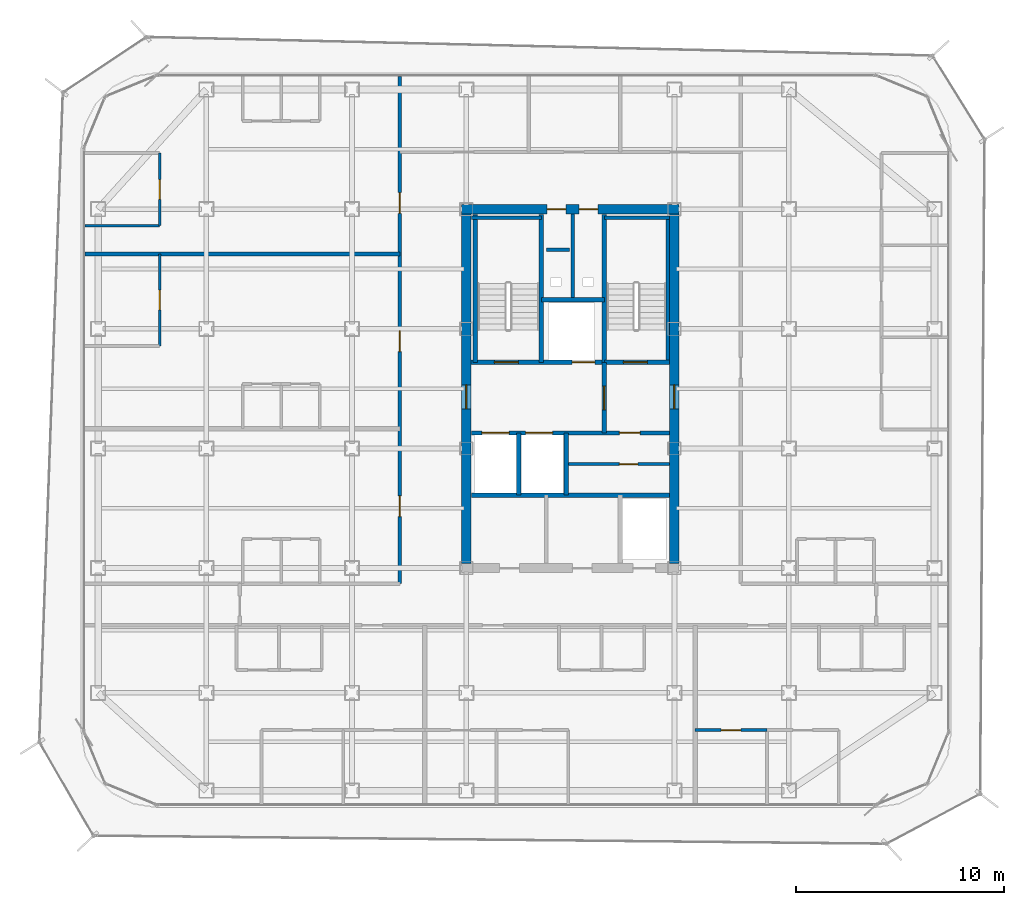
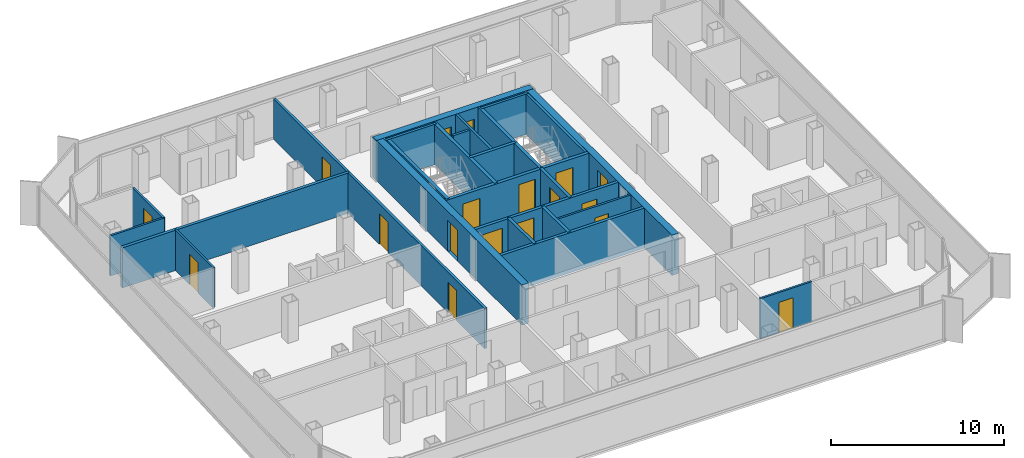
# One storey, part 11 of 16: 26 walls, 18 doors, 18 openings.
"""IFC4 building model written with IfcOpenShell, lengths in metres."""

from ifc_helpers import new_model, si_unit, direction, frame, frame_2d, origin, place, context, subcontext, project, spatial, rectangle, extrude, material, layer, layer_set, type_object, element, fill, save


model = new_model("IFC4")

# Units and contexts
model_context = context("Model", 3, precision=1e-05, world=origin(), true_north=direction((0.0, 1.0)))
body_context = subcontext(model_context, "Body", "Model", "MODEL_VIEW")
ifc_project = project(units=[si_unit("LENGTHUNIT", "METRE"), si_unit("AREAUNIT", "SQUARE_METRE"), si_unit("VOLUMEUNIT", "CUBIC_METRE"), si_unit("PLANEANGLEUNIT", "RADIAN"), si_unit("MASSUNIT", "GRAM", prefix="KILO")], contexts=[model_context])

# Site, building, storey
site_placement = place(None, origin())
site = spatial("IfcSite", under=ifc_project, at=site_placement, CompositionType="ELEMENT")
building_placement = place(site_placement, origin())
building = spatial("IfcBuilding", under=site, at=building_placement, Name="Kolveth Station Tower", CompositionType="ELEMENT")
storey_placement = place(building_placement, frame((0.0, 0.0, 212.39990234375)))
storey = spatial("IfcBuildingStorey", under=building, at=storey_placement, Name="L60", CompositionType="ELEMENT", Elevation=212.39990234375)

# Wall, openings, doors
ifc_material_1 = material(Name="Concrete C50/60", Category="concrete")
ifc_layer_1 = layer(ifc_material_1, 0.449951171875)
ifc_layer_set_1 = layer_set([ifc_layer_1], Name="Concrete C50/60")
wall_type_1 = type_object("IfcWallType", Name="Wall_CW-450", PredefinedType="SHEAR", material=ifc_layer_set_1)
wall_1_placement = place(storey_placement, frame((18.27490234375, 28.75, 0.0), z_axis=(0.0, 0.0, 1.0), x_axis=(1.0, 0.0, 0.0)))
wall_1 = element("IfcWall", 1, at=wall_1_placement, inside=storey, type_object=wall_type_1, Name="L60 Core RC Shear Wall N", PredefinedType="SHEAR", context=body_context, shape_type="SweptSolid", body=[
    extrude(rectangle(XDim=10.4501953125, YDim=0.449951171875, at=frame_2d((5.22509765625, 0.0))), origin(), (0.0, 0.0, 1.0), 2.840087890625),
])
opening_1_placement = place(wall_1_placement, frame((4.10498046875, 0.0, 0.0)))
opening_1 = element("IfcOpeningElement", 2, at=opening_1_placement, cuts=wall_1, Name="Opening RD1", PredefinedType="OPENING", context=body_context, shape_type="SweptSolid", body=[
    extrude(rectangle(XDim=0.89990234375, YDim=2.050048828125, at=frame_2d((0.449951171875, 1.02490234375))), frame((0.0, 0.23486328125, 0.0), z_axis=(0.0, -1.0, 0.0), x_axis=(1.0, 0.0, 0.0)), (0.0, 0.0, 1.0), 0.469970703125),
])
opening_2_placement = place(wall_1_placement, frame((5.64501953125, 0.0, 0.0)))
opening_2 = element("IfcOpeningElement", 3, at=opening_2_placement, cuts=wall_1, Name="Opening RD1", PredefinedType="OPENING", context=body_context, shape_type="SweptSolid", body=[
    extrude(rectangle(XDim=0.89990234375, YDim=2.050048828125, at=frame_2d((0.449951171875, 1.02490234375))), frame((0.0, 0.23486328125, 0.0), z_axis=(0.0, -1.0, 0.0), x_axis=(1.0, 0.0, 0.0)), (0.0, 0.0, 1.0), 0.469970703125),
])
ifc_material_2 = material(Name="Fire-rated Steel S355 riser access leaf", Category="steel")
door_type_1 = type_object("IfcDoorType", Name="Door_RD1", OperationType="NOTDEFINED", PredefinedType="DOOR", material=ifc_material_2)
door_1_placement = place(opening_1_placement, origin())
door_1 = element("IfcDoor", 4, at=door_1_placement, inside=storey, type_object=door_type_1, Name="L60 Electrical Riser Access Door", OperationType="SINGLE_SWING_LEFT", OverallHeight=2.050048828125, OverallWidth=0.89990234375, PredefinedType="DOOR", context=body_context, shape_type="SweptSolid", body=[
    extrude(rectangle(XDim=0.89990234375, YDim=2.050048828125, at=frame_2d((0.449951171875, 1.02490234375))), frame((0.0, 0.02490234375, 0.0), z_axis=(0.0, -1.0, 0.0), x_axis=(1.0, 0.0, 0.0)), (0.0, 0.0, 1.0), 0.050048828125),
])
fill(opening_1, door_1)
door_2_placement = place(opening_2_placement, origin())
door_2 = element("IfcDoor", 5, at=door_2_placement, inside=storey, type_object=door_type_1, Name="L60 Smoke Duct Access Door", OperationType="SINGLE_SWING_RIGHT", OverallHeight=2.050048828125, OverallWidth=0.89990234375, PredefinedType="DOOR", context=body_context, shape_type="SweptSolid", body=[
    extrude(rectangle(XDim=0.89990234375, YDim=2.050048828125, at=frame_2d((0.449951171875, 1.02490234375))), frame((0.0, 0.02490234375, 0.0), z_axis=(0.0, -1.0, 0.0), x_axis=(1.0, 0.0, 0.0)), (0.0, 0.0, 1.0), 0.050048828125),
])
fill(opening_2, door_2)

# Wall, opening, door
wall_2_placement = place(storey_placement, frame((18.5, 11.72509765625, 0.0), z_axis=(0.0, 0.0, 1.0), x_axis=(0.0, 1.0, 0.0)))
wall_2 = element("IfcWall", 6, at=wall_2_placement, inside=storey, type_object=wall_type_1, Name="L60 Core RC Shear Wall W", PredefinedType="SHEAR", context=body_context, shape_type="SweptSolid", body=[
    extrude(rectangle(XDim=16.7998046875, YDim=0.449951171875, at=frame_2d((8.39990234375, 0.0))), origin(), (0.0, 0.0, 1.0), 2.840087890625),
])
opening_3_placement = place(wall_2_placement, frame((7.425048828125, 0.0, 0.0)))
opening_3 = element("IfcOpeningElement", 7, at=opening_3_placement, cuts=wall_2, Name="Opening FD1", PredefinedType="OPENING", context=body_context, shape_type="SweptSolid", body=[
    extrude(rectangle(XDim=1.14990234375, YDim=2.199951171875, at=frame_2d((0.574951171875, 1.10009765625))), frame((0.0, 0.23486328125, 0.0), z_axis=(0.0, -1.0, 0.0), x_axis=(1.0, 0.0, 0.0)), (0.0, 0.0, 1.0), 0.469970703125),
])
ifc_material_3 = material(Name="Fire-rated Steel S355 leaf and frame", Category="steel")
door_type_2 = type_object("IfcDoorType", Name="Door_FD1", OperationType="NOTDEFINED", PredefinedType="DOOR", material=ifc_material_3)
door_3_placement = place(opening_3_placement, frame((1.14990234375, 0.0, 0.0), z_axis=(0.0, 0.0, 1.0), x_axis=(-1.0, 0.0, 0.0)))
door_3 = element("IfcDoor", 8, at=door_3_placement, inside=storey, type_object=door_type_2, Name="L60 West Corridor to Firefighting Lobby Door", OperationType="SINGLE_SWING_LEFT", OverallHeight=2.199951171875, OverallWidth=1.14990234375, PredefinedType="DOOR", context=body_context, shape_type="SweptSolid", body=[
    extrude(rectangle(XDim=1.14990234375, YDim=2.199951171875, at=frame_2d((0.574951171875, 1.10009765625))), frame((0.0, 0.02490234375, 0.0), z_axis=(0.0, -1.0, 0.0), x_axis=(1.0, 0.0, 0.0)), (0.0, 0.0, 1.0), 0.050048828125),
])
fill(opening_3, door_3)

wall_3_placement = place(storey_placement, frame((28.5, 11.72509765625, 0.0), z_axis=(0.0, 0.0, 1.0), x_axis=(0.0, 1.0, 0.0)))
wall_3 = element("IfcWall", 9, at=wall_3_placement, inside=storey, type_object=wall_type_1, Name="L60 Core RC Shear Wall E", PredefinedType="SHEAR", context=body_context, shape_type="SweptSolid", body=[
    extrude(rectangle(XDim=16.7998046875, YDim=0.449951171875, at=frame_2d((8.39990234375, 0.0))), origin(), (0.0, 0.0, 1.0), 2.840087890625),
])
opening_4_placement = place(wall_3_placement, frame((7.425048828125, 0.0, 0.0)))
opening_4 = element("IfcOpeningElement", 10, at=opening_4_placement, cuts=wall_3, Name="Opening FD1", PredefinedType="OPENING", context=body_context, shape_type="SweptSolid", body=[
    extrude(rectangle(XDim=1.14990234375, YDim=2.199951171875, at=frame_2d((0.574951171875, 1.10009765625))), frame((0.0, 0.23486328125, 0.0), z_axis=(0.0, -1.0, 0.0), x_axis=(1.0, 0.0, 0.0)), (0.0, 0.0, 1.0), 0.469970703125),
])
door_4_placement = place(opening_4_placement, origin())
door_4 = element("IfcDoor", 11, at=door_4_placement, inside=storey, type_object=door_type_2, Name="L60 East Corridor to Stair Lobby Door", OperationType="SINGLE_SWING_LEFT", OverallHeight=2.199951171875, OverallWidth=1.14990234375, PredefinedType="DOOR", context=body_context, shape_type="SweptSolid", body=[
    extrude(rectangle(XDim=1.14990234375, YDim=2.199951171875, at=frame_2d((0.574951171875, 1.10009765625))), frame((0.0, 0.02490234375, 0.0), z_axis=(0.0, -1.0, 0.0), x_axis=(1.0, 0.0, 0.0)), (0.0, 0.0, 1.0), 0.050048828125),
])
fill(opening_4, door_4)

ifc_material_4 = material(Name="Moisture-resistant gypsum partition")
ifc_layer_2 = layer(ifc_material_4, 0.135009765625)
ifc_layer_set_2 = layer_set([ifc_layer_2], Name="Moisture-resistant gypsum partition")
wall_type_2 = type_object("IfcWallType", Name="Wall_IW-135", PredefinedType="PARTITIONING", material=ifc_layer_set_2)
wall_4_placement = place(storey_placement, frame((23.300048828125, 16.5, 0.0), z_axis=(0.0, 0.0, 1.0), x_axis=(1.0, 0.0, 0.0)))
wall_4 = element("IfcWall", 12, at=wall_4_placement, inside=storey, type_object=wall_type_2, Name="L60 Partition Wall WL-L60-CB-H1", PredefinedType="PARTITIONING", context=body_context, shape_type="SweptSolid", body=[
    extrude(rectangle(XDim=4.96484375, YDim=0.135009765625, at=frame_2d((2.482421875, 0.0))), origin(), (0.0, 0.0, 1.0), 2.840087890625),
])
opening_5_placement = place(wall_4_placement, frame((2.550048828125, 0.0, 0.0)))
opening_5 = element("IfcOpeningElement", 13, at=opening_5_placement, cuts=wall_4, Name="Opening RD1", PredefinedType="OPENING", context=body_context, shape_type="SweptSolid", body=[
    extrude(rectangle(XDim=0.89990234375, YDim=2.050048828125, at=frame_2d((0.449951171875, 1.02490234375))), frame((0.0, 0.077392578125, 0.0), z_axis=(0.0, -1.0, 0.0), x_axis=(1.0, 0.0, 0.0)), (0.0, 0.0, 1.0), 0.155029296875),
])
door_5_placement = place(opening_5_placement, frame((0.89990234375, 0.0, 0.0), z_axis=(0.0, 0.0, 1.0), x_axis=(-1.0, 0.0, 0.0)))
door_5 = element("IfcDoor", 14, at=door_5_placement, inside=storey, type_object=door_type_1, Name="L60 Core Equipment Store Door", OperationType="SINGLE_SWING_RIGHT", OverallHeight=2.050048828125, OverallWidth=0.89990234375, PredefinedType="DOOR", context=body_context, shape_type="SweptSolid", body=[
    extrude(rectangle(XDim=0.89990234375, YDim=2.050048828125, at=frame_2d((0.449951171875, 1.02490234375))), frame((0.0, 0.02490234375, 0.0), z_axis=(0.0, -1.0, 0.0), x_axis=(1.0, 0.0, 0.0)), (0.0, 0.0, 1.0), 0.050048828125),
])
fill(opening_5, door_5)

wall_5_placement = place(storey_placement, frame((29.5, 3.7099609375, 0.0), z_axis=(0.0, 0.0, 1.0), x_axis=(1.0, 0.0, 0.0)))
wall_5 = element("IfcWall", 15, at=wall_5_placement, inside=storey, type_object=wall_type_2, Name="L60 Partition Wall WL-L60-A3-BDH1", PredefinedType="PARTITIONING", context=body_context, shape_type="SweptSolid", body=[
    extrude(rectangle(XDim=3.449951171875, YDim=0.135009765625, at=frame_2d((1.72509765625, 0.0))), origin(), (0.0, 0.0, 1.0), 2.840087890625),
])
opening_6_placement = place(wall_5_placement, frame((1.2451171875, 0.0, 0.0)))
opening_6 = element("IfcOpeningElement", 16, at=opening_6_placement, cuts=wall_5, Name="Opening ID1", PredefinedType="OPENING", context=body_context, shape_type="SweptSolid", body=[
    extrude(rectangle(XDim=0.949951171875, YDim=2.14990234375, at=frame_2d((0.47509765625, 1.074951171875))), frame((0.0, 0.077392578125, 0.0), z_axis=(0.0, -1.0, 0.0), x_axis=(1.0, 0.0, 0.0)), (0.0, 0.0, 1.0), 0.155029296875),
])
ifc_material_5 = material(Name="Acoustic hardwood leaf and aluminium frame", Category="wood")
door_type_3 = type_object("IfcDoorType", Name="Door_ID1", OperationType="NOTDEFINED", PredefinedType="DOOR", material=ifc_material_5)
door_6_placement = place(opening_6_placement, frame((0.949951171875, 0.0, 0.0), z_axis=(0.0, 0.0, 1.0), x_axis=(-1.0, 0.0, 0.0)))
door_6 = element("IfcDoor", 17, at=door_6_placement, inside=storey, type_object=door_type_3, Name="Penthouse Flat L60-A3 Bedroom 1 Door", OperationType="SINGLE_SWING_LEFT", OverallHeight=2.14990234375, OverallWidth=0.949951171875, PredefinedType="DOOR", context=body_context, shape_type="SweptSolid", body=[
    extrude(rectangle(XDim=0.949951171875, YDim=2.14990234375, at=frame_2d((0.47509765625, 1.074951171875))), frame((0.0, 0.02490234375, 0.0), z_axis=(0.0, -1.0, 0.0), x_axis=(1.0, 0.0, 0.0)), (0.0, 0.0, 1.0), 0.050048828125),
])
fill(opening_6, door_6)

wall_6_placement = place(storey_placement, frame((3.760009765625, 22.172119140625, 0.0), z_axis=(0.0, 0.0, 1.0), x_axis=(0.0, 1.0, 0.0)))
wall_6 = element("IfcWall", 18, at=wall_6_placement, inside=storey, type_object=wall_type_2, Name="L60 Partition Wall WL-L60-W2-BDV1", PredefinedType="PARTITIONING", context=body_context, shape_type="SweptSolid", body=[
    extrude(rectangle(XDim=4.427978515625, YDim=0.135009765625, at=frame_2d((2.2138671875, 0.0))), origin(), (0.0, 0.0, 1.0), 2.840087890625),
])
opening_7_placement = place(wall_6_placement, frame((1.73388671875, 0.0, 0.0)))
opening_7 = element("IfcOpeningElement", 19, at=opening_7_placement, cuts=wall_6, Name="Opening ID1", PredefinedType="OPENING", context=body_context, shape_type="SweptSolid", body=[
    extrude(rectangle(XDim=0.949951171875, YDim=2.14990234375, at=frame_2d((0.47509765625, 1.074951171875))), frame((0.0, 0.077392578125, 0.0), z_axis=(0.0, -1.0, 0.0), x_axis=(1.0, 0.0, 0.0)), (0.0, 0.0, 1.0), 0.155029296875),
])
door_7_placement = place(opening_7_placement, origin())
door_7 = element("IfcDoor", 20, at=door_7_placement, inside=storey, type_object=door_type_3, Name="Penthouse Flat L60-W2 Bedroom 1 Door", OperationType="SINGLE_SWING_LEFT", OverallHeight=2.14990234375, OverallWidth=0.949951171875, PredefinedType="DOOR", context=body_context, shape_type="SweptSolid", body=[
    extrude(rectangle(XDim=0.949951171875, YDim=2.14990234375, at=frame_2d((0.47509765625, 1.074951171875))), frame((0.0, 0.02490234375, 0.0), z_axis=(0.0, -1.0, 0.0), x_axis=(1.0, 0.0, 0.0)), (0.0, 0.0, 1.0), 0.050048828125),
])
fill(opening_7, door_7)

# Wall
wall_7_placement = place(storey_placement, frame((0.159912109375, 27.9580078125, 0.0), z_axis=(0.0, 0.0, 1.0), x_axis=(1.0, 0.0, 0.0)))
element("IfcWall", 21, at=wall_7_placement, inside=storey, type_object=wall_type_2, Name="L60 Partition Wall WL-L60-W3-BDH0", PredefinedType="PARTITIONING", context=body_context, shape_type="SweptSolid", body=[
    extrude(rectangle(XDim=3.60009765625, YDim=0.135009765625, at=frame_2d((1.800048828125, 0.0))), origin(), (0.0, 0.0, 1.0), 2.840087890625),
])

# Wall, opening, door
wall_8_placement = place(storey_placement, frame((3.760009765625, 27.9580078125, 0.0), z_axis=(0.0, 0.0, 1.0), x_axis=(0.0, 1.0, 0.0)))
wall_8 = element("IfcWall", 22, at=wall_8_placement, inside=storey, type_object=wall_type_2, Name="L60 Partition Wall WL-L60-W3-BDV1", PredefinedType="PARTITIONING", context=body_context, shape_type="SweptSolid", body=[
    extrude(rectangle(XDim=3.491943359375, YDim=0.135009765625, at=frame_2d((1.74609375, 0.0))), origin(), (0.0, 0.0, 1.0), 2.840087890625),
])
opening_8_placement = place(wall_8_placement, frame((1.26611328125, 0.0, 0.0)))
opening_8 = element("IfcOpeningElement", 23, at=opening_8_placement, cuts=wall_8, Name="Opening ID1", PredefinedType="OPENING", context=body_context, shape_type="SweptSolid", body=[
    extrude(rectangle(XDim=0.949951171875, YDim=2.14990234375, at=frame_2d((0.47509765625, 1.074951171875))), frame((0.0, 0.077392578125, 0.0), z_axis=(0.0, -1.0, 0.0), x_axis=(1.0, 0.0, 0.0)), (0.0, 0.0, 1.0), 0.155029296875),
])
door_8_placement = place(opening_8_placement, origin())
door_8 = element("IfcDoor", 24, at=door_8_placement, inside=storey, type_object=door_type_3, Name="Penthouse Flat L60-W3 Bedroom 1 Door", OperationType="SINGLE_SWING_LEFT", OverallHeight=2.14990234375, OverallWidth=0.949951171875, PredefinedType="DOOR", context=body_context, shape_type="SweptSolid", body=[
    extrude(rectangle(XDim=0.949951171875, YDim=2.14990234375, at=frame_2d((0.47509765625, 1.074951171875))), frame((0.0, 0.02490234375, 0.0), z_axis=(0.0, -1.0, 0.0), x_axis=(1.0, 0.0, 0.0)), (0.0, 0.0, 1.0), 0.050048828125),
])
fill(opening_8, door_8)

# Walls
ifc_material_6 = material(Name="Acoustic double-stud gypsum partition")
ifc_layer_3 = layer(ifc_material_6, 0.1650390625)
ifc_layer_set_3 = layer_set([ifc_layer_3], Name="Acoustic double-stud gypsum partition")
wall_type_3 = type_object("IfcWallType", Name="Wall_IW-165", PredefinedType="PARTITIONING", material=ifc_layer_set_3)
wall_9_placement = place(storey_placement, frame((18.735107421875, 28.3349609375, 0.0), z_axis=(0.0, 0.0, 1.0), x_axis=(1.0, 0.0, 0.0)))
element("IfcWall", 25, at=wall_9_placement, inside=storey, type_object=wall_type_3, Name="L60 Stair Shaft Wall WL-L60-ST1-N", PredefinedType="PARTITIONING", context=body_context, shape_type="SweptSolid", body=[
    extrude(rectangle(XDim=3.375, YDim=0.1650390625, at=frame_2d((1.6875, 0.0))), origin(), (0.0, 0.0, 1.0), 2.840087890625),
])
wall_10_placement = place(storey_placement, frame((25.1298828125, 28.3349609375, 0.0), z_axis=(0.0, 0.0, 1.0), x_axis=(1.0, 0.0, 0.0)))
element("IfcWall", 26, at=wall_10_placement, inside=storey, type_object=wall_type_3, Name="L60 Stair Shaft Wall WL-L60-ST2-N", PredefinedType="PARTITIONING", context=body_context, shape_type="SweptSolid", body=[
    extrude(rectangle(XDim=3.135009765625, YDim=0.1650390625, at=frame_2d((1.5673828125, 0.0))), origin(), (0.0, 0.0, 1.0), 2.840087890625),
])
wall_11_placement = place(storey_placement, frame((28.1826171875, 21.389892578125, 0.0), z_axis=(0.0, 0.0, 1.0), x_axis=(0.0, 1.0, 0.0)))
element("IfcWall", 27, at=wall_11_placement, inside=storey, type_object=wall_type_3, Name="L60 Stair Shaft Wall WL-L60-ST2-E", PredefinedType="PARTITIONING", context=body_context, shape_type="SweptSolid", body=[
    extrude(rectangle(XDim=6.945068359375, YDim=0.1650390625, at=frame_2d((3.47265625, 0.0))), origin(), (0.0, 0.0, 1.0), 2.840087890625),
])
wall_12_placement = place(storey_placement, frame((23.6201171875, 24.39990234375, 0.0), z_axis=(0.0, 0.0, 1.0), x_axis=(0.0, 1.0, 0.0)))
element("IfcWall", 28, at=wall_12_placement, inside=storey, type_object=wall_type_3, Name="L60 Partition Wall WL-L60-RSR-M", PredefinedType="PARTITIONING", context=body_context, shape_type="SweptSolid", body=[
    extrude(rectangle(XDim=4.114990234375, YDim=0.1650390625, at=frame_2d((2.0576171875, 0.0))), origin(), (0.0, 0.0, 1.0), 2.840087890625),
])

# Wall, openings, doors
wall_13_placement = place(storey_placement, frame((15.300048828125, 10.75, 0.0), z_axis=(0.0, 0.0, 1.0), x_axis=(0.0, 1.0, 0.0)))
wall_13 = element("IfcWall", 29, at=wall_13_placement, inside=storey, type_object=wall_type_3, Name="L60 Partition Wall WL-L60-RW", PredefinedType="PARTITIONING", context=body_context, shape_type="SweptSolid", body=[
    extrude(rectangle(XDim=24.389892578125, YDim=0.1650390625, at=frame_2d((12.19482421875, 0.0))), origin(), (0.0, 0.0, 1.0), 2.840087890625),
])
opening_9_placement = place(wall_13_placement, frame((3.22509765625, 0.0, 0.0)))
opening_9 = element("IfcOpeningElement", 30, at=opening_9_placement, cuts=wall_13, Name="Opening FD3", PredefinedType="OPENING", context=body_context, shape_type="SweptSolid", body=[
    extrude(rectangle(XDim=1.0, YDim=2.14990234375, at=frame_2d((0.5, 1.074951171875))), frame((0.0, 0.092529296875, 0.0), z_axis=(0.0, -1.0, 0.0), x_axis=(1.0, 0.0, 0.0)), (0.0, 0.0, 1.0), 0.18505859375),
])
opening_10_placement = place(wall_13_placement, frame((11.14990234375, 0.0, 0.0)))
opening_10 = element("IfcOpeningElement", 31, at=opening_10_placement, cuts=wall_13, Name="Opening FD3", PredefinedType="OPENING", context=body_context, shape_type="SweptSolid", body=[
    extrude(rectangle(XDim=1.0, YDim=2.14990234375, at=frame_2d((0.5, 1.074951171875))), frame((0.0, 0.092529296875, 0.0), z_axis=(0.0, -1.0, 0.0), x_axis=(1.0, 0.0, 0.0)), (0.0, 0.0, 1.0), 0.18505859375),
])
opening_11_placement = place(wall_13_placement, frame((17.800048828125, 0.0, 0.0)))
opening_11 = element("IfcOpeningElement", 32, at=opening_11_placement, cuts=wall_13, Name="Opening FD3", PredefinedType="OPENING", context=body_context, shape_type="SweptSolid", body=[
    extrude(rectangle(XDim=1.0, YDim=2.14990234375, at=frame_2d((0.5, 1.074951171875))), frame((0.0, 0.092529296875, 0.0), z_axis=(0.0, -1.0, 0.0), x_axis=(1.0, 0.0, 0.0)), (0.0, 0.0, 1.0), 0.18505859375),
])
ifc_material_7 = material(Name="Fire-rated hardwood leaf and aluminium frame", Category="wood")
door_type_4 = type_object("IfcDoorType", Name="Door_FD3", OperationType="NOTDEFINED", PredefinedType="DOOR", material=ifc_material_7)
door_9_placement = place(opening_9_placement, origin())
door_9 = element("IfcDoor", 33, at=door_9_placement, inside=storey, type_object=door_type_4, Name="Penthouse Flat L60-W1 Entrance Door", OperationType="SINGLE_SWING_RIGHT", OverallHeight=2.14990234375, OverallWidth=1.0, PredefinedType="DOOR", context=body_context, shape_type="SweptSolid", body=[
    extrude(rectangle(XDim=1.0, YDim=2.14990234375, at=frame_2d((0.5, 1.074951171875))), frame((0.0, 0.02490234375, 0.0), z_axis=(0.0, -1.0, 0.0), x_axis=(1.0, 0.0, 0.0)), (0.0, 0.0, 1.0), 0.050048828125),
])
fill(opening_9, door_9)
door_10_placement = place(opening_10_placement, origin())
door_10 = element("IfcDoor", 34, at=door_10_placement, inside=storey, type_object=door_type_4, Name="Penthouse Flat L60-W2 Entrance Door", OperationType="SINGLE_SWING_RIGHT", OverallHeight=2.14990234375, OverallWidth=1.0, PredefinedType="DOOR", context=body_context, shape_type="SweptSolid", body=[
    extrude(rectangle(XDim=1.0, YDim=2.14990234375, at=frame_2d((0.5, 1.074951171875))), frame((0.0, 0.02490234375, 0.0), z_axis=(0.0, -1.0, 0.0), x_axis=(1.0, 0.0, 0.0)), (0.0, 0.0, 1.0), 0.050048828125),
])
fill(opening_10, door_10)
door_11_placement = place(opening_11_placement, origin())
door_11 = element("IfcDoor", 35, at=door_11_placement, inside=storey, type_object=door_type_4, Name="Penthouse Flat L60-W3 Entrance Door", OperationType="SINGLE_SWING_RIGHT", OverallHeight=2.14990234375, OverallWidth=1.0, PredefinedType="DOOR", context=body_context, shape_type="SweptSolid", body=[
    extrude(rectangle(XDim=1.0, YDim=2.14990234375, at=frame_2d((0.5, 1.074951171875))), frame((0.0, 0.02490234375, 0.0), z_axis=(0.0, -1.0, 0.0), x_axis=(1.0, 0.0, 0.0)), (0.0, 0.0, 1.0), 0.050048828125),
])
fill(opening_11, door_11)

# Walls
wall_14_placement = place(storey_placement, frame((22.35009765625, 26.800048828125, 0.0), z_axis=(0.0, 0.0, 1.0), x_axis=(1.0, 0.0, 0.0)))
element("IfcWall", 36, at=wall_14_placement, inside=storey, type_object=wall_type_3, Name="L60 Acoustic Riser Dry-Lining Wall", PredefinedType="PARTITIONING", context=body_context, shape_type="SweptSolid", body=[
    extrude(rectangle(XDim=1.099853515625, YDim=0.1650390625, at=frame_2d((0.5498046875, 0.0))), origin(), (0.0, 0.0, 1.0), 2.840087890625),
])
ifc_material_8 = material(Name="Acoustic fire-rated gypsum blockwork", Category="masonry")
ifc_layer_4 = layer(ifc_material_8, 0.199951171875)
ifc_layer_set_4 = layer_set([ifc_layer_4], Name="Acoustic fire-rated gypsum blockwork")
wall_type_4 = type_object("IfcWallType", Name="Wall_IW-200", PredefinedType="PARTITIONING", material=ifc_layer_set_4)
wall_15_placement = place(storey_placement, frame((22.110107421875, 24.39990234375, 0.0), z_axis=(0.0, 0.0, 1.0), x_axis=(1.0, 0.0, 0.0)))
element("IfcWall", 37, at=wall_15_placement, inside=storey, type_object=wall_type_4, Name="L60 Partition Wall WL-L60-RSR-S", PredefinedType="PARTITIONING", context=body_context, shape_type="SweptSolid", body=[
    extrude(rectangle(XDim=3.019775390625, YDim=0.199951171875, at=frame_2d((1.509765625, 0.0))), origin(), (0.0, 0.0, 1.0), 2.840087890625),
])

# Wall, opening, door
wall_16_placement = place(storey_placement, frame((25.1298828125, 18.0, 0.0), z_axis=(0.0, 0.0, 1.0), x_axis=(0.0, 1.0, 0.0)))
wall_16 = element("IfcWall", 38, at=wall_16_placement, inside=storey, type_object=wall_type_4, Name="L60 Partition Wall WL-L60-FFL-E", PredefinedType="PARTITIONING", context=body_context, shape_type="SweptSolid", body=[
    extrude(rectangle(XDim=3.389892578125, YDim=0.199951171875, at=frame_2d((1.69482421875, 0.0))), origin(), (0.0, 0.0, 1.0), 2.840087890625),
])
opening_12_placement = place(wall_16_placement, frame((1.10009765625, 0.0, 0.0)))
opening_12 = element("IfcOpeningElement", 39, at=opening_12_placement, cuts=wall_16, Name="Opening FD1", PredefinedType="OPENING", context=body_context, shape_type="SweptSolid", body=[
    extrude(rectangle(XDim=1.14990234375, YDim=2.199951171875, at=frame_2d((0.574951171875, 1.10009765625))), frame((0.0, 0.10986328125, 0.0), z_axis=(0.0, -1.0, 0.0), x_axis=(1.0, 0.0, 0.0)), (0.0, 0.0, 1.0), 0.219970703125),
])
door_12_placement = place(opening_12_placement, origin())
door_12 = element("IfcDoor", 40, at=door_12_placement, inside=storey, type_object=door_type_2, Name="L60 Firefighting to Stair Lobby Door", OperationType="SINGLE_SWING_RIGHT", OverallHeight=2.199951171875, OverallWidth=1.14990234375, PredefinedType="DOOR", context=body_context, shape_type="SweptSolid", body=[
    extrude(rectangle(XDim=1.14990234375, YDim=2.199951171875, at=frame_2d((0.574951171875, 1.10009765625))), frame((0.0, 0.02490234375, 0.0), z_axis=(0.0, -1.0, 0.0), x_axis=(1.0, 0.0, 0.0)), (0.0, 0.0, 1.0), 0.050048828125),
])
fill(opening_12, door_12)

# Wall, openings, doors
wall_17_placement = place(storey_placement, frame((18.735107421875, 18.0, 0.0), z_axis=(0.0, 0.0, 1.0), x_axis=(1.0, 0.0, 0.0)))
wall_17 = element("IfcWall", 41, at=wall_17_placement, inside=storey, type_object=wall_type_4, Name="L60 Partition Wall WL-L60-FFL-S", PredefinedType="PARTITIONING", context=body_context, shape_type="SweptSolid", body=[
    extrude(rectangle(XDim=9.52978515625, YDim=0.199951171875, at=frame_2d((4.764892578125, 0.0))), origin(), (0.0, 0.0, 1.0), 2.840087890625),
])
opening_13_placement = place(wall_17_placement, frame((0.514892578125, 0.0, 0.0)))
opening_13 = element("IfcOpeningElement", 42, at=opening_13_placement, cuts=wall_17, Name="Opening LD2", PredefinedType="OPENING", context=body_context, shape_type="SweptSolid", body=[
    extrude(rectangle(XDim=1.300048828125, YDim=2.300048828125, at=frame_2d((0.64990234375, 1.14990234375))), frame((0.0, 0.10986328125, 0.0), z_axis=(0.0, -1.0, 0.0), x_axis=(1.0, 0.0, 0.0)), (0.0, 0.0, 1.0), 0.219970703125),
])
opening_14_placement = place(wall_17_placement, frame((2.614990234375, 0.0, 0.0)))
opening_14 = element("IfcOpeningElement", 43, at=opening_14_placement, cuts=wall_17, Name="Opening LD2", PredefinedType="OPENING", context=body_context, shape_type="SweptSolid", body=[
    extrude(rectangle(XDim=1.300048828125, YDim=2.300048828125, at=frame_2d((0.64990234375, 1.14990234375))), frame((0.0, 0.10986328125, 0.0), z_axis=(0.0, -1.0, 0.0), x_axis=(1.0, 0.0, 0.0)), (0.0, 0.0, 1.0), 0.219970703125),
])
opening_15_placement = place(wall_17_placement, frame((7.114990234375, 0.0, 0.0)))
opening_15 = element("IfcOpeningElement", 44, at=opening_15_placement, cuts=wall_17, Name="Opening FD3", PredefinedType="OPENING", context=body_context, shape_type="SweptSolid", body=[
    extrude(rectangle(XDim=1.0, YDim=2.14990234375, at=frame_2d((0.5, 1.074951171875))), frame((0.0, 0.10986328125, 0.0), z_axis=(0.0, -1.0, 0.0), x_axis=(1.0, 0.0, 0.0)), (0.0, 0.0, 1.0), 0.219970703125),
])
door_13_placement = place(opening_15_placement, frame((1.0, 0.0, 0.0), z_axis=(0.0, 0.0, 1.0), x_axis=(-1.0, 0.0, 0.0)))
door_13 = element("IfcDoor", 45, at=door_13_placement, inside=storey, type_object=door_type_4, Name="L60 Core Linen and Supply Store Door", OperationType="SINGLE_SWING_LEFT", OverallHeight=2.14990234375, OverallWidth=1.0, PredefinedType="DOOR", context=body_context, shape_type="SweptSolid", body=[
    extrude(rectangle(XDim=1.0, YDim=2.14990234375, at=frame_2d((0.5, 1.074951171875))), frame((0.0, 0.02490234375, 0.0), z_axis=(0.0, -1.0, 0.0), x_axis=(1.0, 0.0, 0.0)), (0.0, 0.0, 1.0), 0.050048828125),
])
fill(opening_15, door_13)
ifc_material_9 = material(Name="Firefighting stainless steel sliding landing doors", Category="steel")
door_type_5 = type_object("IfcDoorType", Name="Door_LD2", OperationType="NOTDEFINED", PredefinedType="DOOR", material=ifc_material_9)
door_14_placement = place(opening_13_placement, origin())
door_14 = element("IfcDoor", 46, at=door_14_placement, inside=storey, type_object=door_type_5, Name="L60 Firefighting Lift FF1 Landing Door", OperationType="DOUBLE_DOOR_SLIDING", OverallHeight=2.300048828125, OverallWidth=1.300048828125, PredefinedType="DOOR", context=body_context, shape_type="SweptSolid", body=[
    extrude(rectangle(XDim=1.300048828125, YDim=2.300048828125, at=frame_2d((0.64990234375, 1.14990234375))), frame((0.0, 0.02490234375, 0.0), z_axis=(0.0, -1.0, 0.0), x_axis=(1.0, 0.0, 0.0)), (0.0, 0.0, 1.0), 0.050048828125),
])
fill(opening_13, door_14)
door_15_placement = place(opening_14_placement, origin())
door_15 = element("IfcDoor", 47, at=door_15_placement, inside=storey, type_object=door_type_5, Name="L60 Firefighting Lift FF2 Landing Door", OperationType="DOUBLE_DOOR_SLIDING", OverallHeight=2.300048828125, OverallWidth=1.300048828125, PredefinedType="DOOR", context=body_context, shape_type="SweptSolid", body=[
    extrude(rectangle(XDim=1.300048828125, YDim=2.300048828125, at=frame_2d((0.64990234375, 1.14990234375))), frame((0.0, 0.02490234375, 0.0), z_axis=(0.0, -1.0, 0.0), x_axis=(1.0, 0.0, 0.0)), (0.0, 0.0, 1.0), 0.050048828125),
])
fill(opening_14, door_15)

# Walls
for number, where, z_axis, x_axis, name in (
    (48, (21.02001953125, 15.0, 0.0), (0.0, 0.0, 1.0), (0.0, 1.0, 0.0), "L60 Partition Wall WL-L60-FF12"),
    (49, (23.300048828125, 15.0, 0.0), (0.0, 0.0, 1.0), (0.0, 1.0, 0.0), "L60 Partition Wall WL-L60-FF2E"),
):
    element("IfcWall", number, at=place(storey_placement, frame(where, z_axis=z_axis, x_axis=x_axis)), inside=storey, type_object=wall_type_4, Name=name, PredefinedType="PARTITIONING", context=body_context, shape_type="SweptSolid", body=[
        extrude(rectangle(XDim=3.0, YDim=0.199951171875, at=frame_2d((1.5, 0.0))), origin(), (0.0, 0.0, 1.0), 2.840087890625),
    ])
wall_18_placement = place(storey_placement, frame((18.735107421875, 15.0, 0.0), z_axis=(0.0, 0.0, 1.0), x_axis=(1.0, 0.0, 0.0)))
element("IfcWall", 50, at=wall_18_placement, inside=storey, type_object=wall_type_4, Name="L60 Partition Wall WL-L60-BOH-S", PredefinedType="PARTITIONING", context=body_context, shape_type="SweptSolid", body=[
    extrude(rectangle(XDim=9.52978515625, YDim=0.199951171875, at=frame_2d((4.764892578125, 0.0))), origin(), (0.0, 0.0, 1.0), 2.840087890625),
])
wall_19_placement = place(storey_placement, frame((0.159912109375, 26.60009765625, 0.0), z_axis=(0.0, 0.0, 1.0), x_axis=(1.0, 0.0, 0.0)))
element("IfcWall", 51, at=wall_19_placement, inside=storey, type_object=wall_type_4, Name="L60 Partition Wall WL-L60-RWU-2", PredefinedType="PARTITIONING", context=body_context, shape_type="SweptSolid", body=[
    extrude(rectangle(XDim=15.14013671875, YDim=0.199951171875, at=frame_2d((7.570068359375, 0.0))), origin(), (0.0, 0.0, 1.0), 2.840087890625),
])
ifc_material_10 = material(Name="Concrete C40/50", Category="concrete")
ifc_layer_5 = layer(ifc_material_10, 0.219970703125)
ifc_layer_set_5 = layer_set([ifc_layer_5], Name="Concrete C40/50")
wall_type_5 = type_object("IfcWallType", Name="Wall_IW-220", PredefinedType="SOLIDWALL", material=ifc_layer_set_5)
for number, where, z_axis, x_axis, name in (
    (52, (18.929931640625, 21.389892578125, 0.0), (0.0, 0.0, 1.0), (0.0, 1.0, 0.0), "L60 Stair Shaft Wall WL-L60-ST1-W"),
    (53, (22.110107421875, 21.389892578125, 0.0), (0.0, 0.0, 1.0), (0.0, 1.0, 0.0), "L60 Stair Shaft Wall WL-L60-ST1-E"),
    (54, (25.1298828125, 21.389892578125, 0.0), (0.0, 0.0, 1.0), (0.0, 1.0, 0.0), "L60 Stair Shaft Wall WL-L60-ST2-W"),
):
    element("IfcWall", number, at=place(storey_placement, frame(where, z_axis=z_axis, x_axis=x_axis)), inside=storey, type_object=wall_type_5, Name=name, PredefinedType="SOLIDWALL", context=body_context, shape_type="SweptSolid", body=[
        extrude(rectangle(XDim=7.110107421875, YDim=0.219970703125, at=frame_2d((3.55517578125, 0.0))), origin(), (0.0, 0.0, 1.0), 2.840087890625),
    ])

# Wall, openings, doors
wall_20_placement = place(storey_placement, frame((18.735107421875, 21.389892578125, 0.0), z_axis=(0.0, 0.0, 1.0), x_axis=(1.0, 0.0, 0.0)))
wall_20 = element("IfcWall", 55, at=wall_20_placement, inside=storey, type_object=wall_type_5, Name="L60 Stair Shaft Wall WL-L60-ST1-S", PredefinedType="SOLIDWALL", context=body_context, shape_type="SweptSolid", body=[
    extrude(rectangle(XDim=6.394775390625, YDim=0.219970703125, at=frame_2d((3.197265625, 0.0))), origin(), (0.0, 0.0, 1.0), 2.840087890625),
])
opening_16_placement = place(wall_20_placement, frame((1.114990234375, 0.0, 0.0)))
opening_16 = element("IfcOpeningElement", 56, at=opening_16_placement, cuts=wall_20, Name="Opening FD1", PredefinedType="OPENING", context=body_context, shape_type="SweptSolid", body=[
    extrude(rectangle(XDim=1.14990234375, YDim=2.199951171875, at=frame_2d((0.574951171875, 1.10009765625))), frame((0.0, 0.119873046875, 0.0), z_axis=(0.0, -1.0, 0.0), x_axis=(1.0, 0.0, 0.0)), (0.0, 0.0, 1.0), 0.239990234375),
])
opening_17_placement = place(wall_20_placement, frame((4.844970703125, 0.0, 0.0)))
opening_17 = element("IfcOpeningElement", 57, at=opening_17_placement, cuts=wall_20, Name="Opening LD1", PredefinedType="OPENING", context=body_context, shape_type="SweptSolid", body=[
    extrude(rectangle(XDim=1.10009765625, YDim=2.25, at=frame_2d((0.550048828125, 1.125))), frame((0.0, 0.119873046875, 0.0), z_axis=(0.0, -1.0, 0.0), x_axis=(1.0, 0.0, 0.0)), (0.0, 0.0, 1.0), 0.239990234375),
])
door_16_placement = place(opening_16_placement, frame((1.14990234375, 0.0, 0.0), z_axis=(0.0, 0.0, 1.0), x_axis=(-1.0, 0.0, 0.0)))
door_16 = element("IfcDoor", 58, at=door_16_placement, inside=storey, type_object=door_type_2, Name="L60 Stair ST1 Fire Door", OperationType="SINGLE_SWING_RIGHT", OverallHeight=2.199951171875, OverallWidth=1.14990234375, PredefinedType="DOOR", context=body_context, shape_type="SweptSolid", body=[
    extrude(rectangle(XDim=1.14990234375, YDim=2.199951171875, at=frame_2d((0.574951171875, 1.10009765625))), frame((0.0, 0.02490234375, 0.0), z_axis=(0.0, -1.0, 0.0), x_axis=(1.0, 0.0, 0.0)), (0.0, 0.0, 1.0), 0.050048828125),
])
fill(opening_16, door_16)
ifc_material_11 = material(Name="Brushed stainless steel sliding landing doors", Category="steel")
door_type_6 = type_object("IfcDoorType", Name="Door_LD1", OperationType="NOTDEFINED", PredefinedType="DOOR", material=ifc_material_11)
door_17_placement = place(opening_17_placement, frame((1.10009765625, 0.0, 0.0), z_axis=(0.0, 0.0, 1.0), x_axis=(-1.0, 0.0, 0.0)))
door_17 = element("IfcDoor", 59, at=door_17_placement, inside=storey, type_object=door_type_6, Name="L60 Service Lift SV1 Landing Door", OperationType="DOUBLE_DOOR_SLIDING", OverallHeight=2.25, OverallWidth=1.10009765625, PredefinedType="DOOR", context=body_context, shape_type="SweptSolid", body=[
    extrude(rectangle(XDim=1.10009765625, YDim=2.25, at=frame_2d((0.550048828125, 1.125))), frame((0.0, 0.02490234375, 0.0), z_axis=(0.0, -1.0, 0.0), x_axis=(1.0, 0.0, 0.0)), (0.0, 0.0, 1.0), 0.050048828125),
])
fill(opening_17, door_17)

# Wall, opening, door
wall_21_placement = place(storey_placement, frame((25.1298828125, 21.389892578125, 0.0), z_axis=(0.0, 0.0, 1.0), x_axis=(1.0, 0.0, 0.0)))
wall_21 = element("IfcWall", 60, at=wall_21_placement, inside=storey, type_object=wall_type_5, Name="L60 Stair Shaft Wall WL-L60-ST2-S", PredefinedType="SOLIDWALL", context=body_context, shape_type="SweptSolid", body=[
    extrude(rectangle(XDim=3.135009765625, YDim=0.219970703125, at=frame_2d((1.5673828125, 0.0))), origin(), (0.0, 0.0, 1.0), 2.840087890625),
])
opening_18_placement = place(wall_21_placement, frame((0.919921875, 0.0, 0.0)))
opening_18 = element("IfcOpeningElement", 61, at=opening_18_placement, cuts=wall_21, Name="Opening FD1", PredefinedType="OPENING", context=body_context, shape_type="SweptSolid", body=[
    extrude(rectangle(XDim=1.14990234375, YDim=2.199951171875, at=frame_2d((0.574951171875, 1.10009765625))), frame((0.0, 0.119873046875, 0.0), z_axis=(0.0, -1.0, 0.0), x_axis=(1.0, 0.0, 0.0)), (0.0, 0.0, 1.0), 0.239990234375),
])
door_18_placement = place(opening_18_placement, frame((1.14990234375, 0.0, 0.0), z_axis=(0.0, 0.0, 1.0), x_axis=(-1.0, 0.0, 0.0)))
door_18 = element("IfcDoor", 62, at=door_18_placement, inside=storey, type_object=door_type_2, Name="L60 Stair ST2 Fire Door", OperationType="SINGLE_SWING_LEFT", OverallHeight=2.199951171875, OverallWidth=1.14990234375, PredefinedType="DOOR", context=body_context, shape_type="SweptSolid", body=[
    extrude(rectangle(XDim=1.14990234375, YDim=2.199951171875, at=frame_2d((0.574951171875, 1.10009765625))), frame((0.0, 0.02490234375, 0.0), z_axis=(0.0, -1.0, 0.0), x_axis=(1.0, 0.0, 0.0)), (0.0, 0.0, 1.0), 0.050048828125),
])
fill(opening_18, door_18)

save(model, "model.ifc")
